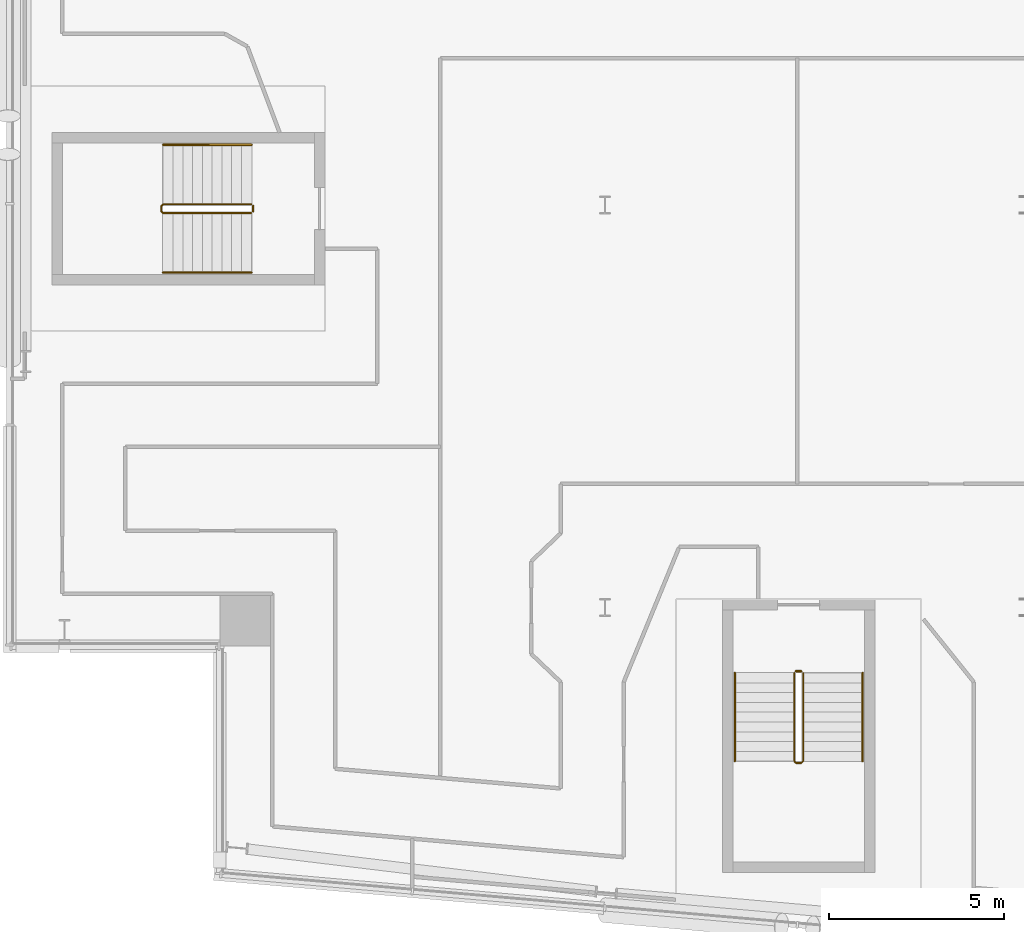
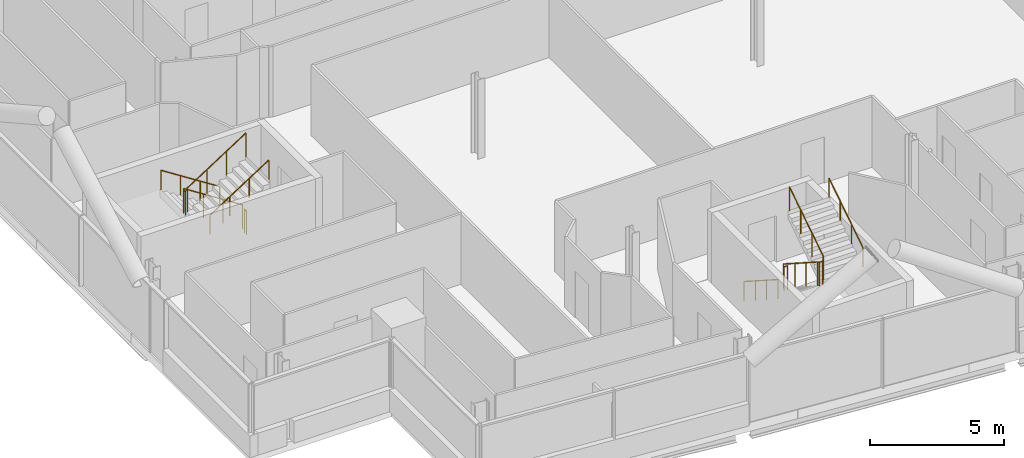
# One storey, part 25 of 27: 8 railings.
"""IFC4 building model written with IfcOpenShell, lengths in metres."""

import ifcopenshell
import ifcopenshell.guid

model = None  # the IFC model being written
_history = None  # IfcOwnerHistory: only IFC2X3 demands one
_inside = {}  # id of a spatial element -> (the spatial element, [elements in it])
_under = {}  # id of a project, library or spatial element -> (it, [spatial elements below it])
_declared = {}  # id of a project -> (the project, [libraries it declares])
_typed = {}  # id of a type object -> (the type object, [elements of that type])
_made_of = {}  # id of a material, layer set ... -> (it, [elements and type objects made of it])


def new_model(schema):
    """Start an empty IFC model of exactly this schema.

    Asked for "IFC4X3", IfcOpenShell would pick the latest addendum, in which some entities
    have other attributes; the version numbers below select the first issue.
    IFC2X3 requires an IfcOwnerHistory on every rooted entity: one is made here for all.
    """
    global model, _history
    if schema == "IFC4X3":
        model = ifcopenshell.file(schema_version=(4, 3, 0, 0))
    else:
        model = ifcopenshell.file(schema=schema)
    _inside.clear()
    _under.clear()
    _declared.clear()
    _typed.clear()
    _made_of.clear()
    _history = None
    if model.schema == "IFC2X3":
        org = make("IfcOrganization", Name="unknown")
        user = make(
            "IfcPersonAndOrganization",
            ThePerson=make("IfcPerson", FamilyName="unknown"),
            TheOrganization=org,
        )
        app = make(
            "IfcApplication",
            ApplicationDeveloper=org,
            Version="unknown",
            ApplicationFullName="unknown",
            ApplicationIdentifier="unknown",
        )
        _history = make(
            "IfcOwnerHistory",
            OwningUser=user,
            OwningApplication=app,
            ChangeAction="ADDED",
            CreationDate=0,
        )
    return model


def make(cls, **values):
    """One entity of the class cls with the attributes given. An attribute that is None is left unset."""
    return model.create_entity(
        cls, **{name: value for name, value in values.items() if value is not None}
    )


def rooted(cls, **values):
    """An entity with a GlobalId (a new one), such as an element, a storey or a relation."""
    return make(cls, GlobalId=ifcopenshell.guid.new(), OwnerHistory=_history, **values)


def si_unit(unit_type, name, prefix=None):
    """IfcSIUnit, for example si_unit("LENGTHUNIT", "METRE", prefix="MILLI")."""
    return make("IfcSIUnit", UnitType=unit_type, Prefix=prefix, Name=name)


def assignment(units):
    """IfcUnitAssignment: the units of a project."""
    return None if units is None else make("IfcUnitAssignment", Units=units)


def point(xyz):
    """IfcCartesianPoint."""
    return None if xyz is None else make("IfcCartesianPoint", Coordinates=xyz)


def direction(xyz):
    """IfcDirection."""
    return None if xyz is None else make("IfcDirection", DirectionRatios=xyz)


def frame(location, z_axis=None, x_axis=None):
    """IfcAxis2Placement3D, a coordinate frame: its origin and axes. An axis left out is left unset."""
    return make(
        "IfcAxis2Placement3D",
        Location=point(location),
        Axis=direction(z_axis),
        RefDirection=direction(x_axis),
    )


def frame_2d(location, x_axis=None):
    """IfcAxis2Placement2D, a coordinate frame in the plane: its origin and x axis."""
    return make(
        "IfcAxis2Placement2D", Location=point(location), RefDirection=direction(x_axis)
    )


def origin():
    """The frame at (0, 0, 0) with its axes left unset."""
    return frame((0.0, 0.0, 0.0))


def origin_2d():
    """The frame at (0, 0) in the plane with its x axis left unset."""
    return frame_2d((0.0, 0.0))


def place(relative_to, where):
    """IfcLocalPlacement: puts the frame where relative to a parent placement (None: the world)."""
    return make(
        "IfcLocalPlacement", PlacementRelTo=relative_to, RelativePlacement=where
    )


def context(
    kind, dimensions, precision=None, world=None, true_north=None, identifier=None
):
    """IfcGeometricRepresentationContext, for example the 3D "Model" context."""
    return make(
        "IfcGeometricRepresentationContext",
        ContextIdentifier=identifier,
        ContextType=kind,
        CoordinateSpaceDimension=dimensions,
        Precision=precision,
        WorldCoordinateSystem=world,
        TrueNorth=true_north,
    )


def subcontext(parent, identifier, kind, view, scale=None):
    """IfcGeometricRepresentationSubContext, for example "Body" below "Model"."""
    return make(
        "IfcGeometricRepresentationSubContext",
        ContextIdentifier=identifier,
        ContextType=kind,
        ParentContext=parent,
        TargetScale=scale,
        TargetView=view,
    )


def project(units=None, contexts=None):
    """IfcProject with its units and contexts."""
    return rooted(
        "IfcProject",
        Name="project",
        RepresentationContexts=contexts,
        UnitsInContext=assignment(units),
    )


def spatial(cls, under=None, at=None, **own):
    """A site, building, storey or space (cls), placed at a placement, below another one or the project."""
    s = rooted(cls, ObjectPlacement=at, **own)
    if under is not None:
        _under.setdefault(under.id(), (under, []))[1].append(s)
    return s


def profile(cls, at=None, kind="AREA", **sizes):
    """A parametric profile (cls). Its sizes go by their IFC names, for example OverallWidth=200.0."""
    return make(cls, ProfileType=kind, Position=at, **sizes)


def circle(**sizes):
    """IfcCircleProfileDef."""
    return profile("IfcCircleProfileDef", **sizes)


def extrude(swept, where, along, depth):
    """IfcExtrudedAreaSolid: the profile swept, set in the frame where, extruded along a direction by depth."""
    return make(
        "IfcExtrudedAreaSolid",
        SweptArea=swept,
        Position=where,
        ExtrudedDirection=direction(along),
        Depth=depth,
    )


def shape(context_of_items, identifier, shape_type, items):
    """IfcShapeRepresentation: the items that make up one representation, for example the "Body"."""
    return make(
        "IfcShapeRepresentation",
        ContextOfItems=context_of_items,
        RepresentationIdentifier=identifier,
        RepresentationType=shape_type,
        Items=items,
    )


def material(Name=None, Category=None):
    """IfcMaterial."""
    return make("IfcMaterial", Name=Name, Category=Category)


def made_of(thing, what):
    """Note that an element or type object is made of a material, layer set ...; save() writes the relation."""
    if what is not None:
        _made_of.setdefault(what.id(), (what, []))[1].append(thing)
    return thing


def type_object(cls, material=None, **own):
    """A type object (cls), such as IfcWallType, which elements share."""
    return made_of(rooted(cls, **own), material)


def element(
    cls,
    number,
    at=None,
    inside=None,
    cuts=None,
    type_object=None,
    material=None,
    context=None,
    identifier="Body",
    shape_type=None,
    held_by="IfcProductDefinitionShape",
    body=None,
    shapes=None,
    **own,
):
    """One element of the class cls, such as IfcWall. Its Tag is "e" and its number.

    at: its placement. inside: the storey or other place that contains it. cuts: it is an
    opening in that element (IfcRelVoidsElement). A single representation is given by context,
    identifier, shape_type and body (its items); several are given by shapes. held_by: the class
    of the entity that holds the representations. save() writes the other relations.
    """
    e = rooted(cls, Tag="e%d" % number, ObjectPlacement=at, **own)
    if body is not None:
        shapes = [shape(context, identifier, shape_type, body)]
    if shapes is not None:
        e.Representation = make(held_by, Representations=shapes)
    if inside is not None:
        _inside.setdefault(inside.id(), (inside, []))[1].append(e)
    if cuts is not None:
        rooted(
            "IfcRelVoidsElement", RelatingBuildingElement=cuts, RelatedOpeningElement=e
        )
    if type_object is not None:
        _typed.setdefault(type_object.id(), (type_object, []))[1].append(e)
    return made_of(e, material)


def aggregate(whole, parts):
    """IfcRelAggregates: a whole, such as a stair, and the parts it consists of."""
    return rooted("IfcRelAggregates", RelatingObject=whole, RelatedObjects=parts)


def save(model, path):
    """Write the relations noted so far, then the file.

    IfcRelAggregates (storeys below a building ...), IfcRelContainedInSpatialStructure (elements
    in a storey), IfcRelDefinesByType, IfcRelAssociatesMaterial and IfcRelDeclares: one each for
    every whole, place, type object, material and project.
    """
    for whole, parts in _under.values():
        aggregate(whole, parts)
    for where, things in _inside.values():
        rooted(
            "IfcRelContainedInSpatialStructure",
            RelatedElements=things,
            RelatingStructure=where,
        )
    for kind, things in _typed.values():
        rooted("IfcRelDefinesByType", RelatedObjects=things, RelatingType=kind)
    for what, things in _made_of.values():
        rooted("IfcRelAssociatesMaterial", RelatedObjects=things, RelatingMaterial=what)
    for by, libraries in _declared.values():
        rooted("IfcRelDeclares", RelatingContext=by, RelatedDefinitions=libraries)
    model.write(path)


model = new_model("IFC4")

# Units and contexts
model_context = context("Model", 3, precision=1e-05, world=origin(), true_north=direction((0.0, 1.0)))
body_context = subcontext(model_context, "Body", "Model", "MODEL_VIEW")
ifc_project = project(units=[si_unit("LENGTHUNIT", "METRE"), si_unit("AREAUNIT", "SQUARE_METRE"), si_unit("VOLUMEUNIT", "CUBIC_METRE"), si_unit("PLANEANGLEUNIT", "RADIAN"), si_unit("MASSUNIT", "GRAM", prefix="KILO")], contexts=[model_context])

# Site, building, storey
site_placement = place(None, origin())
site = spatial("IfcSite", under=ifc_project, at=site_placement, CompositionType="ELEMENT")
building_placement = place(site_placement, origin())
building = spatial("IfcBuilding", under=site, at=building_placement, Name="Wharfspan Tower", CompositionType="ELEMENT")
storey_placement = place(building_placement, frame((0.0, 0.0, 191.5)))
storey = spatial("IfcBuildingStorey", under=building, at=storey_placement, Name="L47", CompositionType="ELEMENT", Elevation=191.5)

# Railings
ifc_material = material(Name="Steel S355J2", Category="steel")
railing_type_1 = type_object("IfcRailingType", Name="Stair guard 1100", PredefinedType="GUARDRAIL", material=ifc_material)
railing_1_placement = place(storey_placement, frame((13.899902, 23.024902, 0.179932)))
element("IfcRailing", 1, at=railing_1_placement, inside=storey, type_object=railing_type_1, Name="L47 ST3 stair guard 1", PredefinedType="GUARDRAIL", context=body_context, shape_type="SweptSolid", body=[
    extrude(circle(Radius=0.023926, at=origin_2d()), frame((0.0, 0.0, 1.076172), z_axis=(-0.841163, 0.0, 0.540782), x_axis=(0.0, -1.0, 0.0)), (0.0, 0.0, 1.0), 2.99585),
    extrude(circle(Radius=0.023926, at=origin_2d()), frame((-2.52002, 0.0, 2.696289), z_axis=(-0.707107, -0.707107, 0.0), x_axis=(0.707107, -0.707107, 0.0)), (0.0, 0.0, 1.0), 0.070312),
    extrude(circle(Radius=0.023926, at=origin_2d()), frame((-2.569824, -0.049805, 2.696289), z_axis=(0.0, -1.0, 0.0), x_axis=(1.0, 0.0, 0.0)), (0.0, 0.0, 1.0), 0.150146),
    extrude(circle(Radius=0.023926, at=origin_2d()), frame((-2.569824, -0.199951, 2.696289), z_axis=(0.257669, -0.258932, 0.930892), x_axis=(0.708833, 0.705372, -1e-06)), (0.0, 0.0, 1.0), 0.193359),
    extrude(circle(Radius=0.023926, at=origin_2d()), frame((-2.52002, -0.25, 2.875977), z_axis=(0.841163, 0.0, 0.540782), x_axis=(0.0, 1.0, 0.0)), (0.0, 0.0, 1.0), 2.99585),
    extrude(circle(Radius=0.020996, at=origin_2d()), origin(), (0.0, 0.0, 1.0), 1.052002),
    extrude(circle(Radius=0.020996, at=origin_2d()), frame((-0.840088, 0.0, 0.540039)), (0.0, 0.0, 1.0), 1.052002),
    extrude(circle(Radius=0.020996, at=origin_2d()), frame((-1.679932, 0.0, 1.080078)), (0.0, 0.0, 1.0), 1.052002),
    extrude(circle(Radius=0.020996, at=origin_2d()), frame((-2.52002, 0.0, 1.620117)), (0.0, 0.0, 1.0), 1.052002),
    extrude(circle(Radius=0.020996, at=origin_2d()), frame((-2.569824, -0.049805, 1.620117)), (0.0, 0.0, 1.0), 1.052002),
    extrude(circle(Radius=0.020996, at=origin_2d()), frame((-2.569824, -0.199951, 1.620117)), (0.0, 0.0, 1.0), 1.052002),
    extrude(circle(Radius=0.020996, at=origin_2d()), frame((-2.52002, -0.25, 1.800049)), (0.0, 0.0, 1.0), 1.052002),
    extrude(circle(Radius=0.020996, at=origin_2d()), frame((-1.679932, -0.25, 2.340088)), (0.0, 0.0, 1.0), 1.052002),
    extrude(circle(Radius=0.020996, at=origin_2d()), frame((-0.840088, -0.25, 2.880127)), (0.0, 0.0, 1.0), 1.052002),
    extrude(circle(Radius=0.020996, at=origin_2d()), frame((0.0, -0.25, 3.420166)), (0.0, 0.0, 1.0), 1.052002),
])
railing_2_placement = place(storey_placement, frame((13.949951, 22.975098, 0.0)))
element("IfcRailing", 2, at=railing_2_placement, inside=storey, type_object=railing_type_1, Name="L47 ST3 stair guard 2", PredefinedType="GUARDRAIL", context=body_context, shape_type="SweptSolid", body=[
    extrude(circle(Radius=0.023926, at=origin_2d()), frame((0.0, 0.0, 1.076172), z_axis=(0.0, -1.0, 0.0), x_axis=(1.0, 0.0, 0.0)), (0.0, 0.0, 1.0), 0.150146),
    extrude(circle(Radius=0.020996, at=origin_2d()), origin(), (0.0, 0.0, 1.0), 1.052002),
    extrude(circle(Radius=0.020996, at=origin_2d()), frame((0.0, -0.150146, 0.0)), (0.0, 0.0, 1.0), 1.052002),
])
railing_3_placement = place(storey_placement, frame((29.414307, 9.634277, 0.179932)))
element("IfcRailing", 3, at=railing_3_placement, inside=storey, type_object=railing_type_1, Name="L47 ST4 stair guard 1", PredefinedType="GUARDRAIL", context=body_context, shape_type="SweptSolid", body=[
    extrude(circle(Radius=0.023926, at=origin_2d()), frame((0.0, 0.0, 1.076172), z_axis=(0.0, -0.841163, 0.540782), x_axis=(1.0, 0.0, 0.0)), (0.0, 0.0, 1.0), 2.99585),
    extrude(circle(Radius=0.023926, at=origin_2d()), frame((0.0, -2.52002, 2.696289), z_axis=(0.705376, -0.708834, 0.0), x_axis=(0.708834, 0.705376, 0.0)), (0.0, 0.0, 1.0), 0.070557),
    extrude(circle(Radius=0.023926, at=origin_2d()), frame((0.049805, -2.570068, 2.696289), z_axis=(1.0, 0.0, 0.0), x_axis=(0.0, 1.0, 0.0)), (0.0, 0.0, 1.0), 0.150146),
    extrude(circle(Radius=0.023926, at=origin_2d()), frame((0.199951, -2.570068, 2.696289), z_axis=(0.258848, 0.258848, 0.930589), x_axis=(-0.707107, 0.707107, 0.0)), (0.0, 0.0, 1.0), 0.193359),
    extrude(circle(Radius=0.023926, at=origin_2d()), frame((0.25, -2.52002, 2.875977), z_axis=(0.0, 0.841163, 0.540782), x_axis=(-1.0, 0.0, 0.0)), (0.0, 0.0, 1.0), 2.99585),
    extrude(circle(Radius=0.020996, at=origin_2d()), origin(), (0.0, 0.0, 1.0), 1.052002),
    extrude(circle(Radius=0.020996, at=origin_2d()), frame((0.0, -0.840088, 0.540039)), (0.0, 0.0, 1.0), 1.052002),
    extrude(circle(Radius=0.020996, at=origin_2d()), frame((0.0, -1.679932, 1.080078)), (0.0, 0.0, 1.0), 1.052002),
    extrude(circle(Radius=0.020996, at=origin_2d()), frame((0.0, -2.52002, 1.620117)), (0.0, 0.0, 1.0), 1.052002),
    extrude(circle(Radius=0.020996, at=origin_2d()), frame((0.049805, -2.570068, 1.620117)), (0.0, 0.0, 1.0), 1.052002),
    extrude(circle(Radius=0.020996, at=origin_2d()), frame((0.199951, -2.570068, 1.620117)), (0.0, 0.0, 1.0), 1.052002),
    extrude(circle(Radius=0.020996, at=origin_2d()), frame((0.25, -2.52002, 1.800049)), (0.0, 0.0, 1.0), 1.052002),
    extrude(circle(Radius=0.020996, at=origin_2d()), frame((0.25, -1.679932, 2.340088)), (0.0, 0.0, 1.0), 1.052002),
    extrude(circle(Radius=0.020996, at=origin_2d()), frame((0.25, -0.840088, 2.880127)), (0.0, 0.0, 1.0), 1.052002),
    extrude(circle(Radius=0.020996, at=origin_2d()), frame((0.25, 0.0, 3.420166)), (0.0, 0.0, 1.0), 1.052002),
])
railing_4_placement = place(storey_placement, frame((29.464111, 9.684326, 0.0)))
element("IfcRailing", 4, at=railing_4_placement, inside=storey, type_object=railing_type_1, Name="L47 ST4 stair guard 2", PredefinedType="GUARDRAIL", context=body_context, shape_type="SweptSolid", body=[
    extrude(circle(Radius=0.023926, at=origin_2d()), frame((0.0, 0.0, 1.076172), z_axis=(1.0, 0.0, 0.0), x_axis=(0.0, 1.0, 0.0)), (0.0, 0.0, 1.0), 0.150146),
    extrude(circle(Radius=0.020996, at=origin_2d()), origin(), (0.0, 0.0, 1.0), 1.052002),
    extrude(circle(Radius=0.020996, at=origin_2d()), frame((0.150146, 0.0, 0.0)), (0.0, 0.0, 1.0), 1.052002),
])
railing_type_2 = type_object("IfcRailingType", Name="Stair handrail 900", PredefinedType="HANDRAIL", material=ifc_material)
railing_5_placement = place(storey_placement, frame((13.899902, 24.725098, 0.179932)))
element("IfcRailing", 5, at=railing_5_placement, inside=storey, type_object=railing_type_2, Name="L47 ST3 stair handrail 1", PredefinedType="HANDRAIL", context=body_context, shape_type="SweptSolid", body=[
    extrude(circle(Radius=0.023926, at=origin_2d()), frame((0.0, 0.0, 0.875977), z_axis=(-0.841163, 0.0, 0.540782), x_axis=(0.0, -1.0, 0.0)), (0.0, 0.0, 1.0), 2.99585),
    extrude(circle(Radius=0.020996, at=origin_2d()), origin(), (0.0, 0.0, 1.0), 0.851807),
    extrude(circle(Radius=0.020996, at=origin_2d()), frame((-0.840088, 0.0, 0.540039)), (0.0, 0.0, 1.0), 0.851807),
    extrude(circle(Radius=0.020996, at=origin_2d()), frame((-1.679932, 0.0, 1.080078)), (0.0, 0.0, 1.0), 0.851807),
    extrude(circle(Radius=0.020996, at=origin_2d()), frame((-2.52002, 0.0, 1.620117)), (0.0, 0.0, 1.0), 0.851807),
])
railing_6_placement = place(storey_placement, frame((11.379883, 21.074951, 1.97998)))
element("IfcRailing", 6, at=railing_6_placement, inside=storey, type_object=railing_type_2, Name="L47 ST3 stair handrail 2", PredefinedType="HANDRAIL", context=body_context, shape_type="SweptSolid", body=[
    extrude(circle(Radius=0.023926, at=origin_2d()), frame((0.0, 0.0, 0.875977), z_axis=(0.841163, 0.0, 0.540782), x_axis=(0.0, 1.0, 0.0)), (0.0, 0.0, 1.0), 2.99585),
    extrude(circle(Radius=0.020996, at=origin_2d()), origin(), (0.0, 0.0, 1.0), 0.851807),
    extrude(circle(Radius=0.020996, at=origin_2d()), frame((0.840088, 0.0, 0.540039)), (0.0, 0.0, 1.0), 0.851807),
    extrude(circle(Radius=0.020996, at=origin_2d()), frame((1.679932, 0.0, 1.080078)), (0.0, 0.0, 1.0), 0.851807),
    extrude(circle(Radius=0.020996, at=origin_2d()), frame((2.52002, 0.0, 1.620117)), (0.0, 0.0, 1.0), 0.851807),
])
railing_7_placement = place(storey_placement, frame((27.714111, 9.634277, 0.179932)))
element("IfcRailing", 7, at=railing_7_placement, inside=storey, type_object=railing_type_2, Name="L47 ST4 stair handrail 1", PredefinedType="HANDRAIL", context=body_context, shape_type="SweptSolid", body=[
    extrude(circle(Radius=0.023926, at=origin_2d()), frame((0.0, 0.0, 0.875977), z_axis=(0.0, -0.841163, 0.540782), x_axis=(1.0, 0.0, 0.0)), (0.0, 0.0, 1.0), 2.99585),
    extrude(circle(Radius=0.020996, at=origin_2d()), origin(), (0.0, 0.0, 1.0), 0.851807),
    extrude(circle(Radius=0.020996, at=origin_2d()), frame((0.0, -0.840088, 0.540039)), (0.0, 0.0, 1.0), 0.851807),
    extrude(circle(Radius=0.020996, at=origin_2d()), frame((0.0, -1.679932, 1.080078)), (0.0, 0.0, 1.0), 0.851807),
    extrude(circle(Radius=0.020996, at=origin_2d()), frame((0.0, -2.52002, 1.620117)), (0.0, 0.0, 1.0), 0.851807),
])
railing_8_placement = place(storey_placement, frame((31.364258, 7.114258, 1.97998)))
element("IfcRailing", 8, at=railing_8_placement, inside=storey, type_object=railing_type_2, Name="L47 ST4 stair handrail 2", PredefinedType="HANDRAIL", context=body_context, shape_type="SweptSolid", body=[
    extrude(circle(Radius=0.023926, at=origin_2d()), frame((0.0, 0.0, 0.875977), z_axis=(0.0, 0.841163, 0.540782), x_axis=(-1.0, 0.0, 0.0)), (0.0, 0.0, 1.0), 2.99585),
    extrude(circle(Radius=0.020996, at=origin_2d()), origin(), (0.0, 0.0, 1.0), 0.851807),
    extrude(circle(Radius=0.020996, at=origin_2d()), frame((0.0, 0.840088, 0.540039)), (0.0, 0.0, 1.0), 0.851807),
    extrude(circle(Radius=0.020996, at=origin_2d()), frame((0.0, 1.679932, 1.080078)), (0.0, 0.0, 1.0), 0.851807),
    extrude(circle(Radius=0.020996, at=origin_2d()), frame((0.0, 2.52002, 1.620117)), (0.0, 0.0, 1.0), 0.851807),
])

save(model, "model.ifc")
